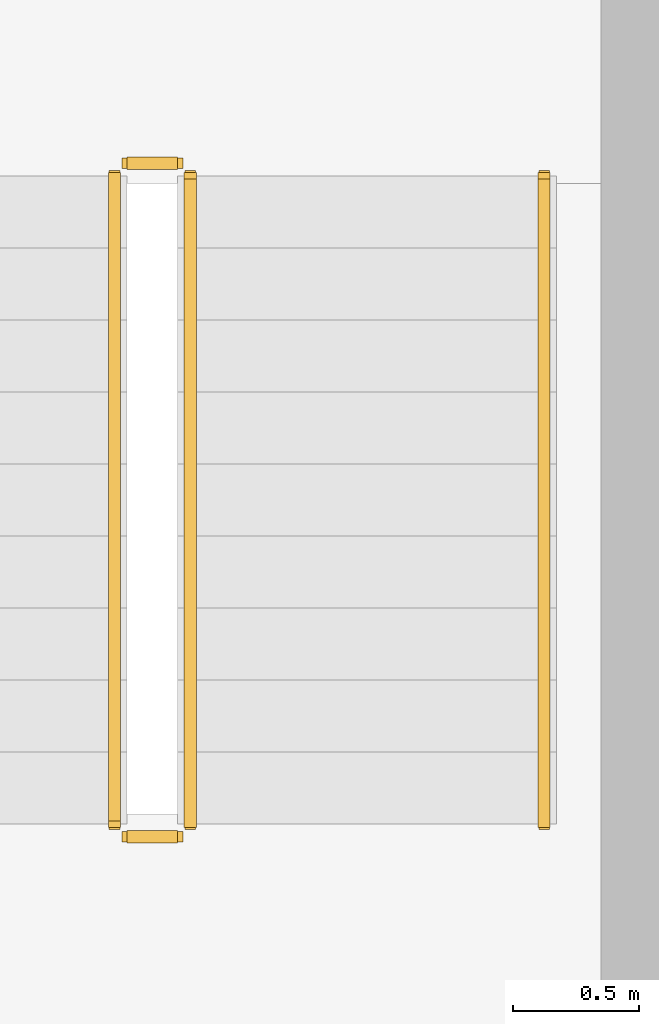
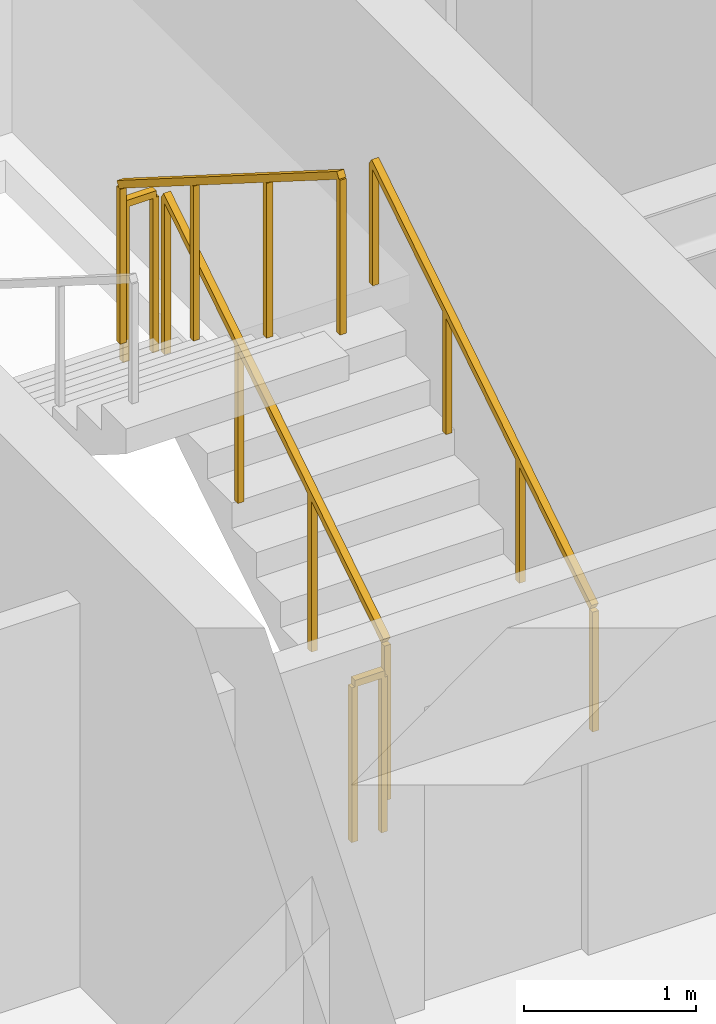
# One storey, part 23 of 23: 5 railings.
"""IFC4 building model written with IfcOpenShell, lengths in metres."""

from ifc_helpers import new_model, si_unit, direction, frame, origin, origin_2d, place, context, subcontext, project, spatial, rectangle, extrude, material, type_object, element, save


model = new_model("IFC4")

# Units and contexts
model_context = context("Model", 3, precision=1e-05, world=origin(), true_north=direction((0.0, 1.0)))
body_context = subcontext(model_context, "Body", "Model", "MODEL_VIEW")
ifc_project = project(units=[si_unit("LENGTHUNIT", "METRE"), si_unit("AREAUNIT", "SQUARE_METRE"), si_unit("VOLUMEUNIT", "CUBIC_METRE"), si_unit("PLANEANGLEUNIT", "RADIAN"), si_unit("MASSUNIT", "GRAM", prefix="KILO")], contexts=[model_context])

# Site, building, storey
site_placement = place(None, origin())
site = spatial("IfcSite", under=ifc_project, at=site_placement, CompositionType="ELEMENT")
building_placement = place(site_placement, origin())
building = spatial("IfcBuilding", under=site, at=building_placement, Name="Sarneth Arch Tower", CompositionType="ELEMENT")
storey_placement = place(building_placement, frame((0.0, 0.0, 276.60009765625)))
storey = spatial("IfcBuildingStorey", under=building, at=storey_placement, Name="L71", CompositionType="ELEMENT", Elevation=276.60009765625)

# Railings
ifc_material_1 = material(Name="Brushed Stainless Steel 304 tubular handrail", Category="steel")
railing_type_1 = type_object("IfcRailingType", Name="RAIL-HANDRAIL-900", PredefinedType="HANDRAIL", material=ifc_material_1)
railing_1_placement = place(storey_placement, frame((58.60009765625, 41.449951171875, 0.179931640625)))
element("IfcRailing", 1, at=railing_1_placement, inside=storey, type_object=railing_type_1, Name="L71 ST-2 stair handrail 1", PredefinedType="HANDRAIL", context=body_context, shape_type="SweptSolid", body=[
    extrude(rectangle(XDim=0.048095703125, YDim=0.048095703125, at=origin_2d()), frame((0.0, 0.0, 0.8759765625), z_axis=(0.0, 0.845502289212, 0.533971796014), x_axis=(-1.0, 0.0, 0.0)), (0.0, 0.0, 1.0), 3.03369140625),
    extrude(rectangle(XDim=0.0419921875, YDim=0.0419921875, at=origin_2d()), origin(), (0.0, 0.0, 1.0), 0.851806640625),
    extrude(rectangle(XDim=0.0419921875, YDim=0.0419921875, at=origin_2d()), frame((0.0, 0.85498046875, 0.5400390625)), (0.0, 0.0, 1.0), 0.851806640625),
    extrude(rectangle(XDim=0.0419921875, YDim=0.0419921875, at=origin_2d()), frame((0.0, 1.7099609375, 1.079833984375)), (0.0, 0.0, 1.0), 0.851806640625),
    extrude(rectangle(XDim=0.0419921875, YDim=0.0419921875, at=origin_2d()), frame((0.0, 2.56494140625, 1.619873046875)), (0.0, 0.0, 1.0), 0.851806640625),
])
ifc_material_2 = material(Name="Painted Steel S275 stair well guard", Category="steel")
railing_type_2 = type_object("IfcRailingType", Name="RAIL-STAIR-GUARD", PredefinedType="GUARDRAIL", material=ifc_material_2)
railing_2_placement = place(storey_placement, frame((57.199951171875, 41.449951171875, 0.179931640625)))
element("IfcRailing", 2, at=railing_2_placement, inside=storey, type_object=railing_type_2, Name="L71 ST-2 stair guard 1", PredefinedType="GUARDRAIL", context=body_context, shape_type="SweptSolid", body=[
    extrude(rectangle(XDim=0.048095703125, YDim=0.048095703125, at=origin_2d()), frame((0.0, 0.0, 1.1259765625), z_axis=(0.0, 0.845502289212, 0.533971796014), x_axis=(-1.0, 0.0, 0.0)), (0.0, 0.0, 1.0), 3.03369140625),
    extrude(rectangle(XDim=0.0419921875, YDim=0.0419921875, at=origin_2d()), origin(), (0.0, 0.0, 1.0), 1.101806640625),
    extrude(rectangle(XDim=0.0419921875, YDim=0.0419921875, at=origin_2d()), frame((0.0, 0.85498046875, 0.5400390625)), (0.0, 0.0, 1.0), 1.101806640625),
    extrude(rectangle(XDim=0.0419921875, YDim=0.0419921875, at=origin_2d()), frame((0.0, 1.7099609375, 1.079833984375)), (0.0, 0.0, 1.0), 1.101806640625),
    extrude(rectangle(XDim=0.0419921875, YDim=0.0419921875, at=origin_2d()), frame((0.0, 2.56494140625, 1.619873046875)), (0.0, 0.0, 1.0), 1.101806640625),
])
railing_3_placement = place(storey_placement, frame((57.14990234375, 44.06494140625, 1.7998046875)))
element("IfcRailing", 3, at=railing_3_placement, inside=storey, type_object=railing_type_2, Name="L71 ST-2 stair guard 2", PredefinedType="GUARDRAIL", context=body_context, shape_type="SweptSolid", body=[
    extrude(rectangle(XDim=0.048095703125, YDim=0.048095703125, at=origin_2d()), frame((0.0, 0.0, 1.1259765625), z_axis=(-1.0, 0.0, 0.0), x_axis=(0.0, -1.0, 0.0)), (0.0, 0.0, 1.0), 0.199951171875),
    extrude(rectangle(XDim=0.0419921875, YDim=0.0419921875, at=origin_2d()), origin(), (0.0, 0.0, 1.0), 1.101806640625),
    extrude(rectangle(XDim=0.0419921875, YDim=0.0419921875, at=origin_2d()), frame((-0.199951171875, 0.0, 0.0)), (0.0, 0.0, 1.0), 1.101806640625),
])
railing_4_placement = place(storey_placement, frame((56.89990234375, 44.014892578125, 1.97998046875)))
element("IfcRailing", 4, at=railing_4_placement, inside=storey, type_object=railing_type_2, Name="L71 ST-2 stair guard 3", PredefinedType="GUARDRAIL", context=body_context, shape_type="SweptSolid", body=[
    extrude(rectangle(XDim=0.048095703125, YDim=0.048095703125, at=origin_2d()), frame((0.0, 0.0, 1.1259765625), z_axis=(0.0, -0.845502289212, 0.533971796014), x_axis=(1.0, 0.0, 0.0)), (0.0, 0.0, 1.0), 3.03369140625),
    extrude(rectangle(XDim=0.0419921875, YDim=0.0419921875, at=origin_2d()), origin(), (0.0, 0.0, 1.0), 1.101806640625),
    extrude(rectangle(XDim=0.0419921875, YDim=0.0419921875, at=origin_2d()), frame((0.0, -0.85498046875, 0.5400390625)), (0.0, 0.0, 1.0), 1.101806640625),
    extrude(rectangle(XDim=0.0419921875, YDim=0.0419921875, at=origin_2d()), frame((0.0, -1.7099609375, 1.079833984375)), (0.0, 0.0, 1.0), 1.101806640625),
    extrude(rectangle(XDim=0.0419921875, YDim=0.0419921875, at=origin_2d()), frame((0.0, -2.56494140625, 1.619873046875)), (0.0, 0.0, 1.0), 1.101806640625),
])
railing_5_placement = place(storey_placement, frame((57.14990234375, 41.39990234375, 0.0)))
element("IfcRailing", 5, at=railing_5_placement, inside=storey, type_object=railing_type_2, Name="L71 ST-2 stair guard 4", PredefinedType="GUARDRAIL", context=body_context, shape_type="SweptSolid", body=[
    extrude(rectangle(XDim=0.048095703125, YDim=0.048095703125, at=origin_2d()), frame((0.0, 0.0, 1.1259765625), z_axis=(-1.0, 0.0, 0.0), x_axis=(0.0, -1.0, 0.0)), (0.0, 0.0, 1.0), 0.199951171875),
    extrude(rectangle(XDim=0.0419921875, YDim=0.0419921875, at=origin_2d()), origin(), (0.0, 0.0, 1.0), 1.101806640625),
    extrude(rectangle(XDim=0.0419921875, YDim=0.0419921875, at=origin_2d()), frame((-0.199951171875, 0.0, 0.0)), (0.0, 0.0, 1.0), 1.101806640625),
])

save(model, "model.ifc")
